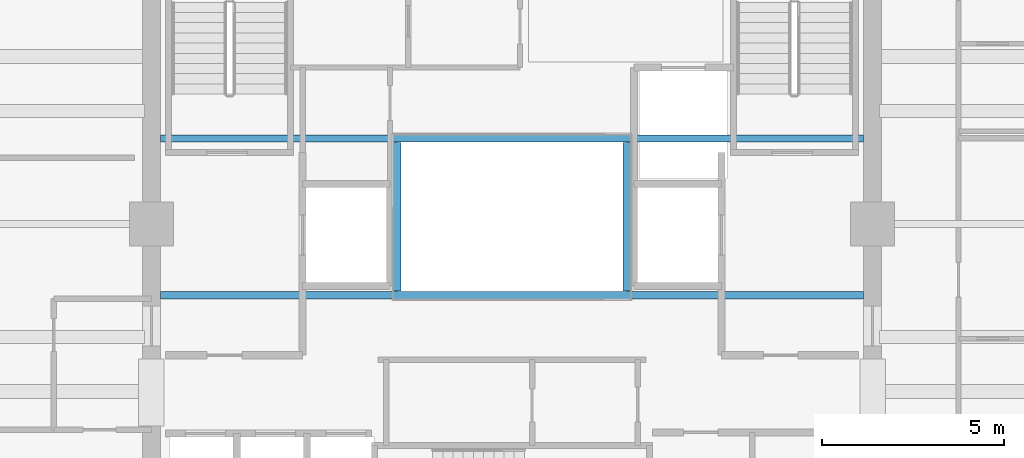
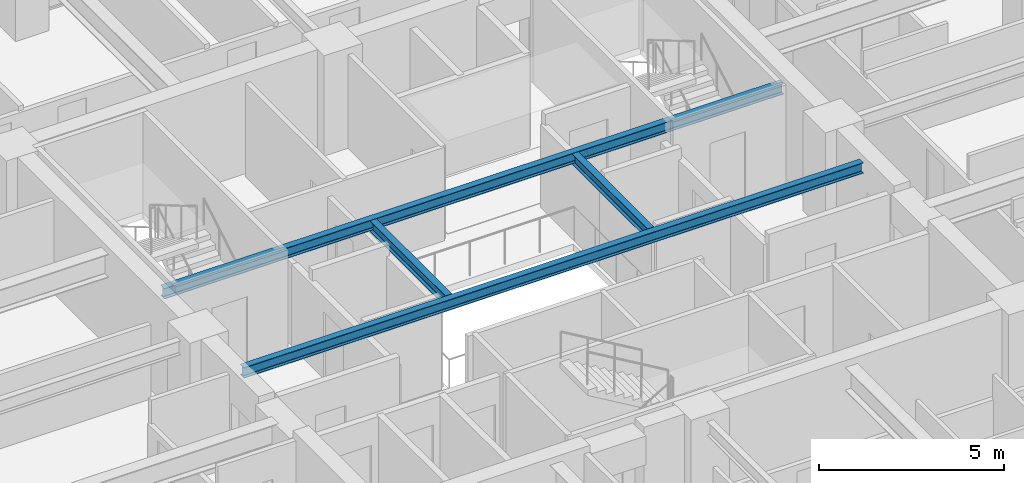
# One storey, part 13 of 38: 4 beams.
"""IFC4 building model written with IfcOpenShell, lengths in metres."""

import ifcopenshell
import ifcopenshell.guid

model = None  # the IFC model being written
_history = None  # IfcOwnerHistory: only IFC2X3 demands one
_inside = {}  # id of a spatial element -> (the spatial element, [elements in it])
_under = {}  # id of a project, library or spatial element -> (it, [spatial elements below it])
_declared = {}  # id of a project -> (the project, [libraries it declares])
_typed = {}  # id of a type object -> (the type object, [elements of that type])
_made_of = {}  # id of a material, layer set ... -> (it, [elements and type objects made of it])


def new_model(schema):
    """Start an empty IFC model of exactly this schema.

    Asked for "IFC4X3", IfcOpenShell would pick the latest addendum, in which some entities
    have other attributes; the version numbers below select the first issue.
    IFC2X3 requires an IfcOwnerHistory on every rooted entity: one is made here for all.
    """
    global model, _history
    if schema == "IFC4X3":
        model = ifcopenshell.file(schema_version=(4, 3, 0, 0))
    else:
        model = ifcopenshell.file(schema=schema)
    _inside.clear()
    _under.clear()
    _declared.clear()
    _typed.clear()
    _made_of.clear()
    _history = None
    if model.schema == "IFC2X3":
        org = make("IfcOrganization", Name="unknown")
        user = make(
            "IfcPersonAndOrganization",
            ThePerson=make("IfcPerson", FamilyName="unknown"),
            TheOrganization=org,
        )
        app = make(
            "IfcApplication",
            ApplicationDeveloper=org,
            Version="unknown",
            ApplicationFullName="unknown",
            ApplicationIdentifier="unknown",
        )
        _history = make(
            "IfcOwnerHistory",
            OwningUser=user,
            OwningApplication=app,
            ChangeAction="ADDED",
            CreationDate=0,
        )
    return model


def make(cls, **values):
    """One entity of the class cls with the attributes given. An attribute that is None is left unset."""
    return model.create_entity(
        cls, **{name: value for name, value in values.items() if value is not None}
    )


def rooted(cls, **values):
    """An entity with a GlobalId (a new one), such as an element, a storey or a relation."""
    return make(cls, GlobalId=ifcopenshell.guid.new(), OwnerHistory=_history, **values)


def si_unit(unit_type, name, prefix=None):
    """IfcSIUnit, for example si_unit("LENGTHUNIT", "METRE", prefix="MILLI")."""
    return make("IfcSIUnit", UnitType=unit_type, Prefix=prefix, Name=name)


def assignment(units):
    """IfcUnitAssignment: the units of a project."""
    return None if units is None else make("IfcUnitAssignment", Units=units)


def point(xyz):
    """IfcCartesianPoint."""
    return None if xyz is None else make("IfcCartesianPoint", Coordinates=xyz)


def direction(xyz):
    """IfcDirection."""
    return None if xyz is None else make("IfcDirection", DirectionRatios=xyz)


def frame(location, z_axis=None, x_axis=None):
    """IfcAxis2Placement3D, a coordinate frame: its origin and axes. An axis left out is left unset."""
    return make(
        "IfcAxis2Placement3D",
        Location=point(location),
        Axis=direction(z_axis),
        RefDirection=direction(x_axis),
    )


def frame_2d(location, x_axis=None):
    """IfcAxis2Placement2D, a coordinate frame in the plane: its origin and x axis."""
    return make(
        "IfcAxis2Placement2D", Location=point(location), RefDirection=direction(x_axis)
    )


def origin():
    """The frame at (0, 0, 0) with its axes left unset."""
    return frame((0.0, 0.0, 0.0))


def origin_2d():
    """The frame at (0, 0) in the plane with its x axis left unset."""
    return frame_2d((0.0, 0.0))


def place(relative_to, where):
    """IfcLocalPlacement: puts the frame where relative to a parent placement (None: the world)."""
    return make(
        "IfcLocalPlacement", PlacementRelTo=relative_to, RelativePlacement=where
    )


def context(
    kind, dimensions, precision=None, world=None, true_north=None, identifier=None
):
    """IfcGeometricRepresentationContext, for example the 3D "Model" context."""
    return make(
        "IfcGeometricRepresentationContext",
        ContextIdentifier=identifier,
        ContextType=kind,
        CoordinateSpaceDimension=dimensions,
        Precision=precision,
        WorldCoordinateSystem=world,
        TrueNorth=true_north,
    )


def subcontext(parent, identifier, kind, view, scale=None):
    """IfcGeometricRepresentationSubContext, for example "Body" below "Model"."""
    return make(
        "IfcGeometricRepresentationSubContext",
        ContextIdentifier=identifier,
        ContextType=kind,
        ParentContext=parent,
        TargetScale=scale,
        TargetView=view,
    )


def project(units=None, contexts=None):
    """IfcProject with its units and contexts."""
    return rooted(
        "IfcProject",
        Name="project",
        RepresentationContexts=contexts,
        UnitsInContext=assignment(units),
    )


def spatial(cls, under=None, at=None, **own):
    """A site, building, storey or space (cls), placed at a placement, below another one or the project."""
    s = rooted(cls, ObjectPlacement=at, **own)
    if under is not None:
        _under.setdefault(under.id(), (under, []))[1].append(s)
    return s


def profile(cls, at=None, kind="AREA", **sizes):
    """A parametric profile (cls). Its sizes go by their IFC names, for example OverallWidth=200.0."""
    return make(cls, ProfileType=kind, Position=at, **sizes)


def i_section(**sizes):
    """IfcIShapeProfileDef."""
    return profile("IfcIShapeProfileDef", **sizes)


def extrude(swept, where, along, depth):
    """IfcExtrudedAreaSolid: the profile swept, set in the frame where, extruded along a direction by depth."""
    return make(
        "IfcExtrudedAreaSolid",
        SweptArea=swept,
        Position=where,
        ExtrudedDirection=direction(along),
        Depth=depth,
    )


def shape(context_of_items, identifier, shape_type, items):
    """IfcShapeRepresentation: the items that make up one representation, for example the "Body"."""
    return make(
        "IfcShapeRepresentation",
        ContextOfItems=context_of_items,
        RepresentationIdentifier=identifier,
        RepresentationType=shape_type,
        Items=items,
    )


def material(Name=None, Category=None):
    """IfcMaterial."""
    return make("IfcMaterial", Name=Name, Category=Category)


def material_profile(
    of_material, cross_section, Name=None, Category=None, Priority=None
):
    """IfcMaterialProfile: a cross section and its material."""
    return make(
        "IfcMaterialProfile",
        Name=Name,
        Material=of_material,
        Profile=cross_section,
        Priority=Priority,
        Category=Category,
    )


def profile_set(profiles, Name=None, composite=None):
    """IfcMaterialProfileSet."""
    return make(
        "IfcMaterialProfileSet",
        Name=Name,
        MaterialProfiles=profiles,
        CompositeProfile=composite,
    )


def made_of(thing, what):
    """Note that an element or type object is made of a material, layer set ...; save() writes the relation."""
    if what is not None:
        _made_of.setdefault(what.id(), (what, []))[1].append(thing)
    return thing


def type_object(cls, material=None, **own):
    """A type object (cls), such as IfcWallType, which elements share."""
    return made_of(rooted(cls, **own), material)


def element(
    cls,
    number,
    at=None,
    inside=None,
    cuts=None,
    type_object=None,
    material=None,
    context=None,
    identifier="Body",
    shape_type=None,
    held_by="IfcProductDefinitionShape",
    body=None,
    shapes=None,
    **own,
):
    """One element of the class cls, such as IfcWall. Its Tag is "e" and its number.

    at: its placement. inside: the storey or other place that contains it. cuts: it is an
    opening in that element (IfcRelVoidsElement). A single representation is given by context,
    identifier, shape_type and body (its items); several are given by shapes. held_by: the class
    of the entity that holds the representations. save() writes the other relations.
    """
    e = rooted(cls, Tag="e%d" % number, ObjectPlacement=at, **own)
    if body is not None:
        shapes = [shape(context, identifier, shape_type, body)]
    if shapes is not None:
        e.Representation = make(held_by, Representations=shapes)
    if inside is not None:
        _inside.setdefault(inside.id(), (inside, []))[1].append(e)
    if cuts is not None:
        rooted(
            "IfcRelVoidsElement", RelatingBuildingElement=cuts, RelatedOpeningElement=e
        )
    if type_object is not None:
        _typed.setdefault(type_object.id(), (type_object, []))[1].append(e)
    return made_of(e, material)


def aggregate(whole, parts):
    """IfcRelAggregates: a whole, such as a stair, and the parts it consists of."""
    return rooted("IfcRelAggregates", RelatingObject=whole, RelatedObjects=parts)


def save(model, path):
    """Write the relations noted so far, then the file.

    IfcRelAggregates (storeys below a building ...), IfcRelContainedInSpatialStructure (elements
    in a storey), IfcRelDefinesByType, IfcRelAssociatesMaterial and IfcRelDeclares: one each for
    every whole, place, type object, material and project.
    """
    for whole, parts in _under.values():
        aggregate(whole, parts)
    for where, things in _inside.values():
        rooted(
            "IfcRelContainedInSpatialStructure",
            RelatedElements=things,
            RelatingStructure=where,
        )
    for kind, things in _typed.values():
        rooted("IfcRelDefinesByType", RelatedObjects=things, RelatingType=kind)
    for what, things in _made_of.values():
        rooted("IfcRelAssociatesMaterial", RelatedObjects=things, RelatingMaterial=what)
    for by, libraries in _declared.values():
        rooted("IfcRelDeclares", RelatingContext=by, RelatedDefinitions=libraries)
    model.write(path)


model = new_model("IFC4")

# Units and contexts
model_context = context("Model", 3, precision=1e-05, world=origin(), true_north=direction((0.0, 1.0)))
body_context = subcontext(model_context, "Body", "Model", "MODEL_VIEW")
ifc_project = project(units=[si_unit("LENGTHUNIT", "METRE"), si_unit("AREAUNIT", "SQUARE_METRE"), si_unit("VOLUMEUNIT", "CUBIC_METRE"), si_unit("PLANEANGLEUNIT", "RADIAN"), si_unit("MASSUNIT", "GRAM", prefix="KILO")], contexts=[model_context])

# Site, building, storey
site_placement = place(None, origin())
site = spatial("IfcSite", under=ifc_project, at=site_placement, CompositionType="ELEMENT")
building_placement = place(site_placement, origin())
building = spatial("IfcBuilding", under=site, at=building_placement, Name="Kolvaren Belvedere", CompositionType="ELEMENT")
storey_placement = place(building_placement, frame((0.0, 0.0, 121.699951171875)))
storey = spatial("IfcBuildingStorey", under=building, at=storey_placement, Name="L35", CompositionType="ELEMENT", Elevation=121.699951171875)

# Beams
ifc_material = material(Name="Structural steel ASTM A992 Grade 50", Category="steel")
ifc_material_profile = material_profile(ifc_material, i_section(OverallWidth=0.2041015625, OverallDepth=0.35009765625, WebThickness=0.008544921875, FlangeThickness=0.01513671875, FilletRadius=0.013916015625, at=origin_2d()), Name="W14X48")
ifc_profile_set = profile_set([ifc_material_profile], Name="Structural steel ASTM A992 Grade 50")
beam_type = type_object("IfcBeamType", Name="BM-ATRIUM-W14X48", PredefinedType="BEAM", material=ifc_profile_set)
for number, where, z_axis, x_axis, name in (
    (1, (-9.64990234375, -1.949951171875, 2.905029296875), (1.0, 0.0, 0.0), (0.0, 1.0, 0.0), "L35 Central Atrium South Girder AS"),
    (2, (-9.64990234375, 2.35009765625, 2.905029296875), (1.0, 0.0, 0.0), (0.0, 1.0, 0.0), "L35 Central Atrium North Girder AN"),
):
    element("IfcBeam", number, at=place(storey_placement, frame(where, z_axis=z_axis, x_axis=x_axis)), inside=storey, type_object=beam_type, Name=name, PredefinedType="BEAM", context=body_context, shape_type="SweptSolid", body=[
        extrude(i_section(OverallWidth=0.2041015625, OverallDepth=0.35009765625, WebThickness=0.008544921875, FlangeThickness=0.01513671875, FilletRadius=0.013916015625, at=origin_2d()), origin(), (0.0, 0.0, 1.0), 19.2998046875),
    ])
for number, where, z_axis, x_axis, name in (
    (3, (-3.14990234375, -1.840087890625, 2.905029296875), (0.0, 1.0, 0.0), (-1.0, 0.0, 0.0), "L35 Central Atrium West Edge Beam AW"),
    (4, (3.14990234375, -1.840087890625, 2.905029296875), (0.0, 1.0, 0.0), (-1.0, 0.0, 0.0), "L35 Central Atrium East Edge Beam AE"),
):
    element("IfcBeam", number, at=place(storey_placement, frame(where, z_axis=z_axis, x_axis=x_axis)), inside=storey, type_object=beam_type, Name=name, PredefinedType="BEAM", context=body_context, shape_type="SweptSolid", body=[
        extrude(i_section(OverallWidth=0.2041015625, OverallDepth=0.35009765625, WebThickness=0.008544921875, FlangeThickness=0.01513671875, FilletRadius=0.013916015625, at=origin_2d()), origin(), (0.0, 0.0, 1.0), 4.080078125),
    ])

save(model, "model.ifc")
